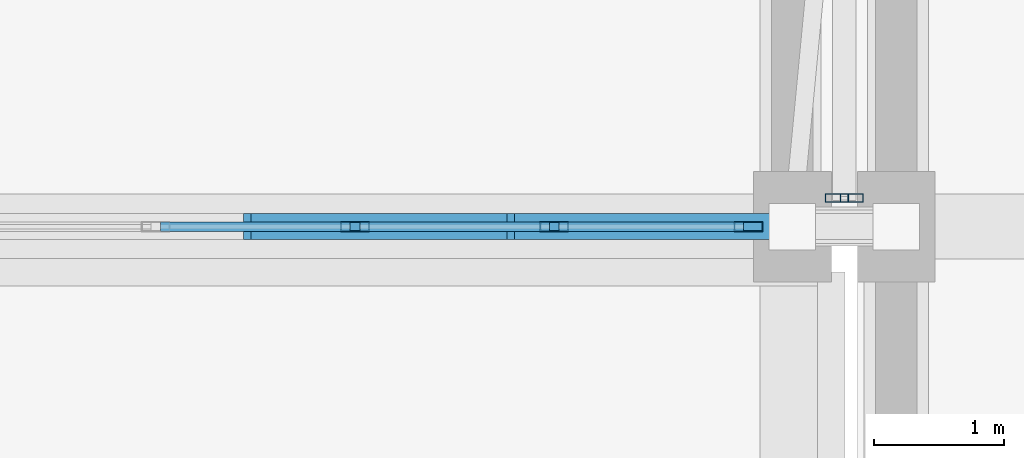
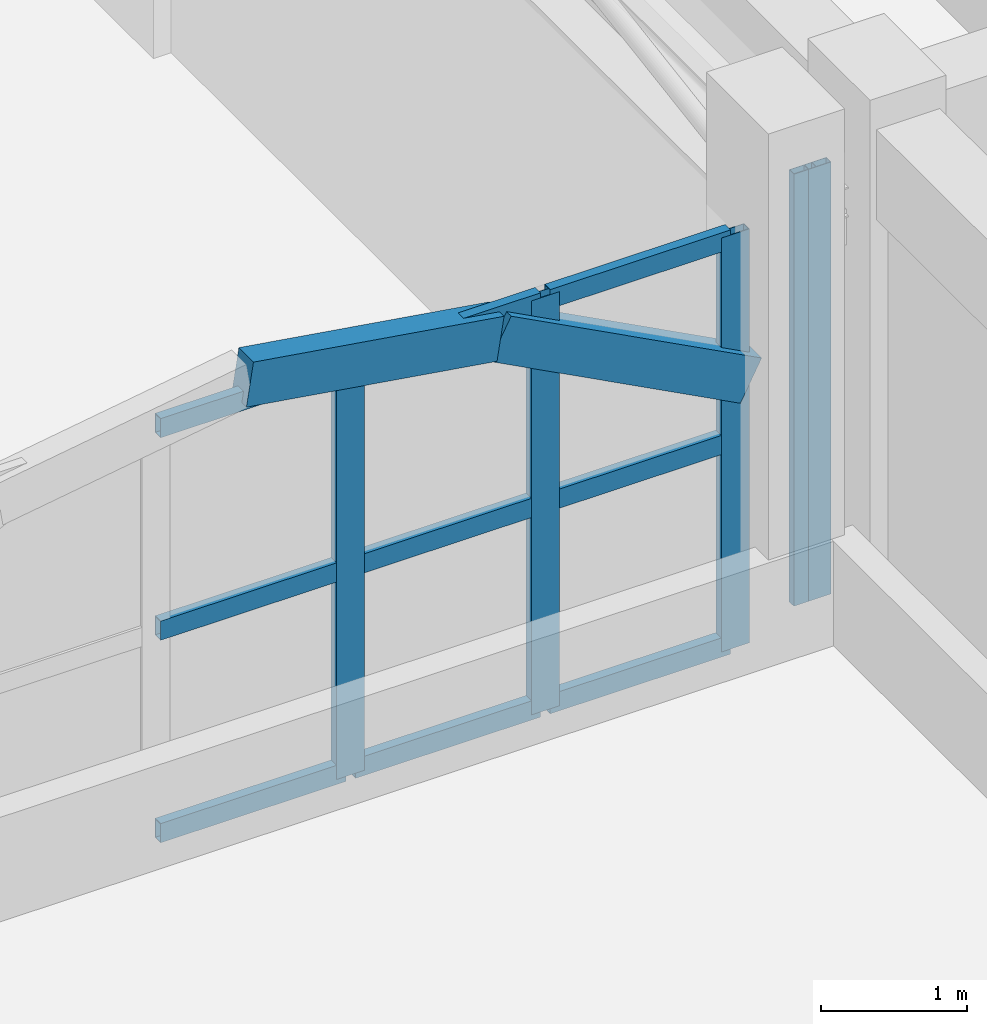
# One storey, part 59 of 129: 16 members, 2 elements without a shape of their own.
"""IFC4 building model written with IfcOpenShell, lengths in metres."""

from ifc_helpers import new_model, si_unit, direction, frame, origin, origin_2d, place, context, subcontext, project, spatial, rectangle, hollow_rectangle, extrude, material, layer, layer_set, material_profile, profile_set, type_object, element, aggregate, save


model = new_model("IFC4")

# Units and contexts
model_context = context("Model", 3, precision=1e-05, world=origin(), true_north=direction((0.0, 1.0)))
body_context = subcontext(model_context, "Body", "Model", "MODEL_VIEW")
ifc_project = project(units=[si_unit("LENGTHUNIT", "METRE"), si_unit("AREAUNIT", "SQUARE_METRE"), si_unit("VOLUMEUNIT", "CUBIC_METRE"), si_unit("PLANEANGLEUNIT", "RADIAN"), si_unit("MASSUNIT", "GRAM", prefix="KILO")], contexts=[model_context])

# Site, building, storey
site_placement = place(None, origin())
site = spatial("IfcSite", under=ifc_project, at=site_placement, CompositionType="ELEMENT")
building_placement = place(site_placement, origin())
building = spatial("IfcBuilding", under=site, at=building_placement, Name="Xazarin Passage Department Store", CompositionType="ELEMENT")
storey_placement = place(building_placement, frame((0.0, 0.0, 9.89990234375)))
storey = spatial("IfcBuildingStorey", under=building, at=storey_placement, Name="L02", CompositionType="ELEMENT", Elevation=9.89990234375)

# Curtain wall, members
ifc_material_1 = material(Name="Bronze anodised aluminium", Category="aluminium")
ifc_layer_1 = layer(ifc_material_1, 0.14990234375)
ifc_layer_set_1 = layer_set([ifc_layer_1], Name="Bronze anodised aluminium")
curtain_wall_type_1 = type_object("IfcCurtainWallType", Name="ARC-CW-BRG1", PredefinedType="NOTDEFINED", material=ifc_layer_set_1)
curtain_wall_1_placement = place(storey_placement, origin())
curtain_wall_1 = element("IfcCurtainWall", 1, at=curtain_wall_1_placement, inside=storey, type_object=curtain_wall_type_1, Name="L02 BR-V1-V2N Bridge Curtain Wall 1", PredefinedType="NOTDEFINED")
ifc_material_profile_1 = material_profile(ifc_material_1, hollow_rectangle(XDim=0.06494140625, YDim=0.179931640625, WallThickness=0.00390625, at=origin_2d()), Name="ALU 65x180")
ifc_profile_set_1 = profile_set([ifc_material_profile_1], Name="Bronze anodised aluminium")
member_type_1 = type_object("IfcMemberType", Name="ARC-CWM-65x180", PredefinedType="MULLION", material=ifc_profile_set_1)
member_1_placement = place(storey_placement, frame((67.54248046875, 68.219970703125, 0.0), z_axis=(0.0, 0.0, 1.0), x_axis=(0.0, 1.0, 0.0)))
member_1 = element("IfcMember", 2, at=member_1_placement, type_object=member_type_1, Name="CW7 mullion 1", PredefinedType="MULLION", context=body_context, shape_type="SweptSolid", body=[
    extrude(hollow_rectangle(XDim=0.06494140625, YDim=0.179931640625, WallThickness=0.00390625, at=origin_2d()), origin(), (0.0, 0.0, 1.0), 3.60009765625),
])
member_2_placement = place(storey_placement, frame((67.657470703125, 68.219970703125, 0.0), z_axis=(0.0, 0.0, 1.0), x_axis=(0.0, 1.0, 0.0)))
member_2 = element("IfcMember", 3, at=member_2_placement, type_object=member_type_1, Name="CW7 mullion 2", PredefinedType="MULLION", context=body_context, shape_type="SweptSolid", body=[
    extrude(hollow_rectangle(XDim=0.06494140625, YDim=0.179931640625, WallThickness=0.00390625, at=origin_2d()), origin(), (0.0, 0.0, 1.0), 3.60009765625),
])
aggregate(curtain_wall_1, [member_1, member_2])

ifc_layer_2 = layer(ifc_material_1, 0.199951171875)
ifc_layer_set_2 = layer_set([ifc_layer_2], Name="Bronze anodised aluminium")
curtain_wall_type_2 = type_object("IfcCurtainWallType", Name="ARC-CW-VIT2", PredefinedType="NOTDEFINED", material=ifc_layer_set_2)
curtain_wall_2_placement = place(storey_placement, origin())
curtain_wall_2 = element("IfcCurtainWall", 4, at=curtain_wall_2_placement, inside=storey, type_object=curtain_wall_type_2, Name="L02 V1 Curtain Wall 036", PredefinedType="NOTDEFINED")
ifc_material_profile_2 = material_profile(ifc_material_1, hollow_rectangle(XDim=0.074951171875, YDim=0.219970703125, WallThickness=0.0048828125, at=origin_2d()), Name="ALU 75x220")
ifc_profile_set_2 = profile_set([ifc_material_profile_2], Name="Bronze anodised aluminium")
member_type_2 = type_object("IfcMemberType", Name="ARC-CWM-75x220", PredefinedType="MULLION", material=ifc_profile_set_2)
member_3_placement = place(storey_placement, frame((63.830078125, 68.0, 0.0), z_axis=(0.0, 0.0, 1.0), x_axis=(0.0, 1.0, 0.0)))
member_3 = element("IfcMember", 5, at=member_3_placement, type_object=member_type_2, Name="CW2 mullion 4", PredefinedType="MULLION", context=body_context, shape_type="SweptSolid", body=[
    extrude(hollow_rectangle(XDim=0.074951171875, YDim=0.219970703125, WallThickness=0.0048828125, at=origin_2d()), origin(), (0.0, 0.0, 1.0), 3.4501953125),
])
member_4_placement = place(storey_placement, frame((65.364990234375, 68.0, 0.0), z_axis=(0.0, 0.0, 1.0), x_axis=(0.0, 1.0, 0.0)))
member_4 = element("IfcMember", 6, at=member_4_placement, type_object=member_type_2, Name="CW2 mullion 5", PredefinedType="MULLION", context=body_context, shape_type="SweptSolid", body=[
    extrude(hollow_rectangle(XDim=0.074951171875, YDim=0.219970703125, WallThickness=0.0048828125, at=origin_2d()), origin(), (0.0, 0.0, 1.0), 3.4501953125),
])
member_5_placement = place(storey_placement, frame((66.862548828125, 68.0, 0.0), z_axis=(0.0, 0.0, 1.0), x_axis=(0.0, 1.0, 0.0)))
member_5 = element("IfcMember", 7, at=member_5_placement, type_object=member_type_2, Name="CW2 mullion 6", PredefinedType="MULLION", context=body_context, shape_type="SweptSolid", body=[
    extrude(hollow_rectangle(XDim=0.074951171875, YDim=0.219970703125, WallThickness=0.0048828125, at=origin_2d()), origin(), (0.0, 0.0, 1.0), 3.4501953125),
])
ifc_material_profile_3 = material_profile(ifc_material_1, hollow_rectangle(XDim=0.074951171875, YDim=0.159912109375, WallThickness=0.00439453125, at=origin_2d()), Name="ALU 75x160")
ifc_profile_set_3 = profile_set([ifc_material_profile_3], Name="Bronze anodised aluminium")
member_type_3 = type_object("IfcMemberType", Name="ARC-CWT-75x160", PredefinedType="USERDEFINED", material=ifc_profile_set_3)
member_6_placement = place(storey_placement, frame((62.33251953125, 68.0, 0.03759765625), z_axis=(1.0, 0.0, 0.0), x_axis=(0.0, 1.0, 0.0)))
member_6 = element("IfcMember", 8, at=member_6_placement, type_object=member_type_3, Name="CW2 transom 3.1", ObjectType="TRANSOM", PredefinedType="USERDEFINED", context=body_context, shape_type="SweptSolid", body=[
    extrude(hollow_rectangle(XDim=0.074951171875, YDim=0.159912109375, WallThickness=0.00439453125, at=origin_2d()), origin(), (0.0, 0.0, 1.0), 1.4599609375),
])
member_7_placement = place(storey_placement, frame((62.33251953125, 68.0, 1.72509765625), z_axis=(1.0, 0.0, 0.0), x_axis=(0.0, 1.0, 0.0)))
member_7 = element("IfcMember", 9, at=member_7_placement, type_object=member_type_3, Name="CW2 transom 3.2", ObjectType="TRANSOM", PredefinedType="USERDEFINED", context=body_context, shape_type="SweptSolid", body=[
    extrude(hollow_rectangle(XDim=0.074951171875, YDim=0.159912109375, WallThickness=0.00439453125, at=origin_2d()), origin(), (0.0, 0.0, 1.0), 1.4599609375),
])
member_8_placement = place(storey_placement, frame((62.33251953125, 68.0, 3.41259765625), z_axis=(1.0, 0.0, 0.0), x_axis=(0.0, 1.0, 0.0)))
member_8 = element("IfcMember", 10, at=member_8_placement, type_object=member_type_3, Name="CW2 transom 3.3", ObjectType="TRANSOM", PredefinedType="USERDEFINED", context=body_context, shape_type="SweptSolid", body=[
    extrude(hollow_rectangle(XDim=0.074951171875, YDim=0.159912109375, WallThickness=0.00439453125, at=origin_2d()), origin(), (0.0, 0.0, 1.0), 1.4599609375),
])
member_9_placement = place(storey_placement, frame((63.867431640625, 68.0, 0.03759765625), z_axis=(1.0, 0.0, 0.0), x_axis=(0.0, 1.0, 0.0)))
member_9 = element("IfcMember", 11, at=member_9_placement, type_object=member_type_3, Name="CW2 transom 4.1", ObjectType="TRANSOM", PredefinedType="USERDEFINED", context=body_context, shape_type="SweptSolid", body=[
    extrude(hollow_rectangle(XDim=0.074951171875, YDim=0.159912109375, WallThickness=0.00439453125, at=origin_2d()), origin(), (0.0, 0.0, 1.0), 1.4599609375),
])
member_10_placement = place(storey_placement, frame((63.867431640625, 68.0, 1.72509765625), z_axis=(1.0, 0.0, 0.0), x_axis=(0.0, 1.0, 0.0)))
member_10 = element("IfcMember", 12, at=member_10_placement, type_object=member_type_3, Name="CW2 transom 4.2", ObjectType="TRANSOM", PredefinedType="USERDEFINED", context=body_context, shape_type="SweptSolid", body=[
    extrude(hollow_rectangle(XDim=0.074951171875, YDim=0.159912109375, WallThickness=0.00439453125, at=origin_2d()), origin(), (0.0, 0.0, 1.0), 1.4599609375),
])
member_11_placement = place(storey_placement, frame((63.867431640625, 68.0, 3.41259765625), z_axis=(1.0, 0.0, 0.0), x_axis=(0.0, 1.0, 0.0)))
member_11 = element("IfcMember", 13, at=member_11_placement, type_object=member_type_3, Name="CW2 transom 4.3", ObjectType="TRANSOM", PredefinedType="USERDEFINED", context=body_context, shape_type="SweptSolid", body=[
    extrude(hollow_rectangle(XDim=0.074951171875, YDim=0.159912109375, WallThickness=0.00439453125, at=origin_2d()), origin(), (0.0, 0.0, 1.0), 1.4599609375),
])
member_12_placement = place(storey_placement, frame((65.402587890625, 68.0, 0.03759765625), z_axis=(1.0, 0.0, 0.0), x_axis=(0.0, 1.0, 0.0)))
member_12 = element("IfcMember", 14, at=member_12_placement, type_object=member_type_3, Name="CW2 transom 5.1", ObjectType="TRANSOM", PredefinedType="USERDEFINED", context=body_context, shape_type="SweptSolid", body=[
    extrude(hollow_rectangle(XDim=0.074951171875, YDim=0.159912109375, WallThickness=0.00439453125, at=origin_2d()), origin(), (0.0, 0.0, 1.0), 1.42236328125),
])
member_13_placement = place(storey_placement, frame((65.402587890625, 68.0, 1.72509765625), z_axis=(1.0, 0.0, 0.0), x_axis=(0.0, 1.0, 0.0)))
member_13 = element("IfcMember", 15, at=member_13_placement, type_object=member_type_3, Name="CW2 transom 5.2", ObjectType="TRANSOM", PredefinedType="USERDEFINED", context=body_context, shape_type="SweptSolid", body=[
    extrude(hollow_rectangle(XDim=0.074951171875, YDim=0.159912109375, WallThickness=0.00439453125, at=origin_2d()), origin(), (0.0, 0.0, 1.0), 1.42236328125),
])
member_14_placement = place(storey_placement, frame((65.402587890625, 68.0, 3.41259765625), z_axis=(1.0, 0.0, 0.0), x_axis=(0.0, 1.0, 0.0)))
member_14 = element("IfcMember", 16, at=member_14_placement, type_object=member_type_3, Name="CW2 transom 5.3", ObjectType="TRANSOM", PredefinedType="USERDEFINED", context=body_context, shape_type="SweptSolid", body=[
    extrude(hollow_rectangle(XDim=0.074951171875, YDim=0.159912109375, WallThickness=0.00439453125, at=origin_2d()), origin(), (0.0, 0.0, 1.0), 1.42236328125),
])
aggregate(curtain_wall_2, [member_3, member_4, member_5, member_6, member_7, member_8, member_9, member_10, member_11, member_12, member_13, member_14])

# Members
ifc_material_2 = material(Name="Concrete C40/50", Category="concrete")
ifc_material_profile_4 = material_profile(ifc_material_2, rectangle(XDim=0.199951171875, YDim=0.360107421875, at=origin_2d()), Name="RC 200x360")
ifc_profile_set_4 = profile_set([ifc_material_profile_4], Name="Concrete C40/50")
member_type_4 = type_object("IfcMemberType", Name="STR-MEM-ARC360", PredefinedType="CHORD", material=ifc_profile_set_4)
member_15_placement = place(storey_placement, frame((63.0, 68.0, 3.580078125), z_axis=(0.987938581312, 0.0, -0.154846244883), x_axis=(0.0, 1.0, 0.0)))
element("IfcMember", 17, at=member_15_placement, inside=storey, type_object=member_type_4, Name="L02 V1 Upper Setback Pierced Arch 010.3", PredefinedType="CHORD", context=body_context, shape_type="SweptSolid", body=[
    extrude(rectangle(XDim=0.199951171875, YDim=0.360107421875, at=origin_2d()), origin(), (0.0, 0.0, 1.0), 1.999267578125),
])
member_16_placement = place(storey_placement, frame((64.97509765625, 68.0, 3.2705078125), z_axis=(0.884709354127, 0.0, -0.466143066793), x_axis=(0.0, 1.0, 0.0)))
element("IfcMember", 18, at=member_16_placement, inside=storey, type_object=member_type_4, Name="L02 V1 Upper Setback Pierced Arch 010.4", PredefinedType="CHORD", context=body_context, shape_type="SweptSolid", body=[
    extrude(rectangle(XDim=0.199951171875, YDim=0.360107421875, at=origin_2d()), origin(), (0.0, 0.0, 1.0), 2.232177734375),
])

save(model, "model.ifc")
